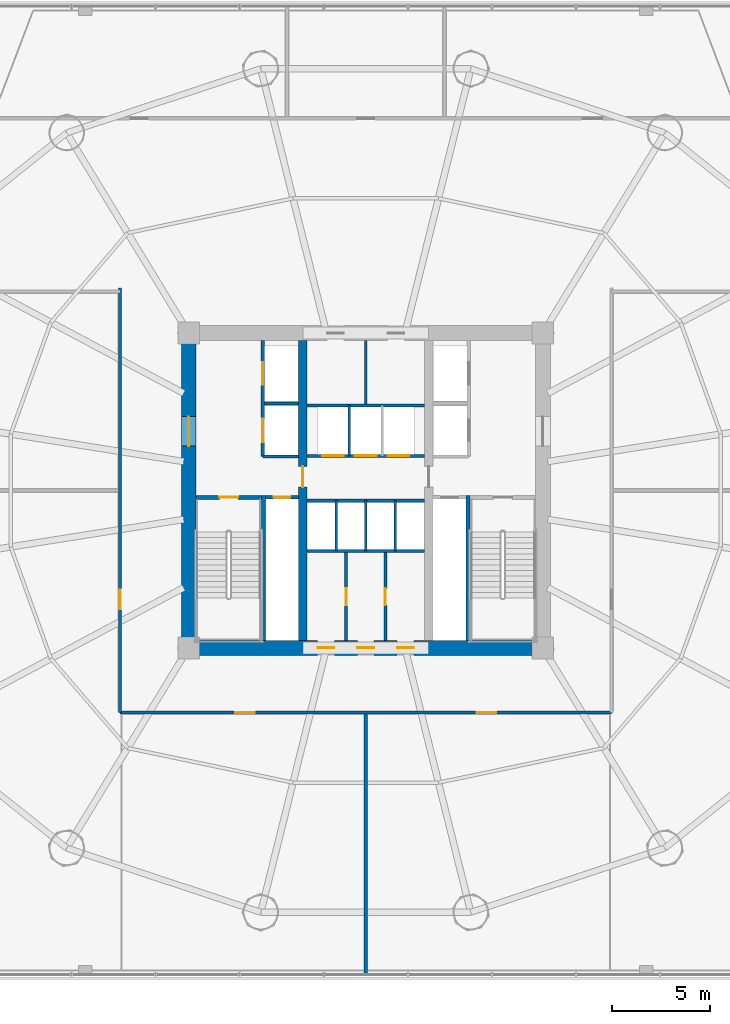
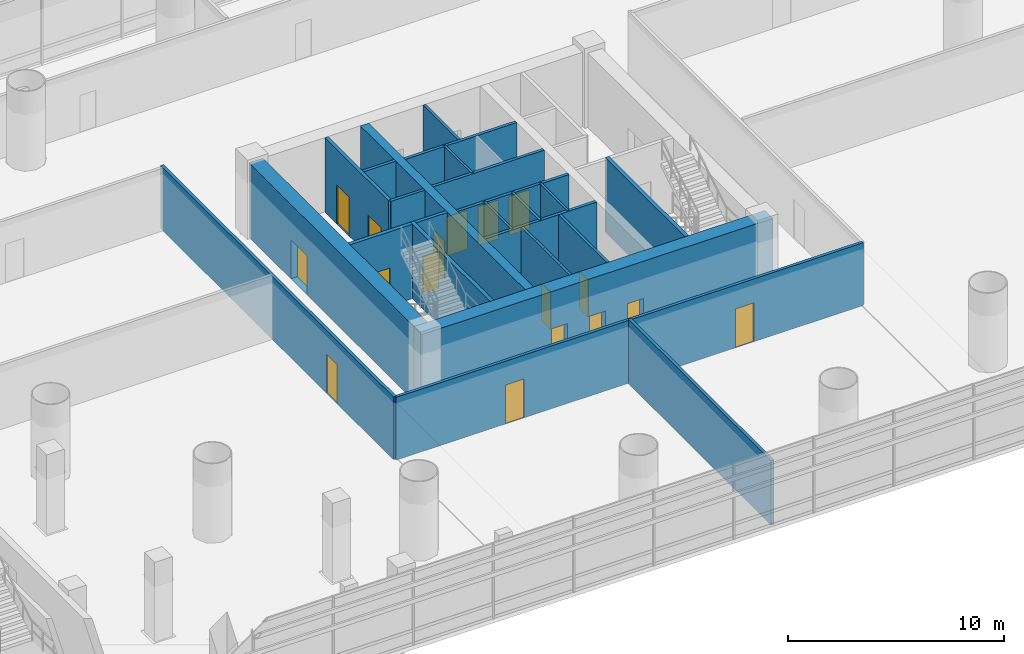
# One storey, part 21 of 36: 24 walls, 17 doors, 17 openings.
"""IFC4 building model written with IfcOpenShell, lengths in metres."""

from ifc_helpers import new_model, si_unit, direction, frame, frame_2d, origin, place, context, subcontext, project, spatial, rectangle, extrude, source, transform, mapped, material, layer, layer_set, type_object, element, fill, save


model = new_model("IFC4")

# Units and contexts
model_context = context("Model", 3, precision=1e-05, world=origin(), true_north=direction((-0.2419218956, 0.970295726276)))
body_context = subcontext(model_context, "Body", "Model", "MODEL_VIEW")
ifc_project = project(units=[si_unit("LENGTHUNIT", "METRE"), si_unit("AREAUNIT", "SQUARE_METRE"), si_unit("VOLUMEUNIT", "CUBIC_METRE"), si_unit("PLANEANGLEUNIT", "RADIAN"), si_unit("MASSUNIT", "GRAM", prefix="KILO")], contexts=[model_context])

# Site, building, storey
site_placement = place(None, origin())
site = spatial("IfcSite", under=ifc_project, at=site_placement, CompositionType="ELEMENT")
building_placement = place(site_placement, origin())
building = spatial("IfcBuilding", under=site, at=building_placement, Name="Cobrevalo Terracotta Tower", CompositionType="ELEMENT")
storey_placement = place(building_placement, frame((0.0, 0.0, 9.89990234375)))
storey = spatial("IfcBuildingStorey", under=building, at=storey_placement, Name="L02", CompositionType="ELEMENT", Elevation=9.89990234375)

# Wall, openings, doors
ifc_material_1 = material(Name="Concrete C60", Category="concrete")
ifc_layer_1 = layer(ifc_material_1, 0.75)
ifc_layer_set_1 = layer_set([ifc_layer_1], Name="Concrete C60")
wall_type_1 = type_object("IfcWallType", Name="Core shear wall 750 mm Concrete C60", PredefinedType="SHEAR", material=ifc_layer_set_1)
wall_1_placement = place(storey_placement, frame((28.625, 18.800048828125, 0.0), z_axis=(0.0, 0.0, 1.0), x_axis=(1.0, 0.0, 0.0)))
wall_1 = element("IfcWall", 1, at=wall_1_placement, inside=storey, type_object=wall_type_1, Name="L02 south core shear wall", PredefinedType="SHEAR", context=body_context, shape_type="SweptSolid", body=[
    extrude(rectangle(XDim=18.75, YDim=0.75, at=frame_2d((9.375, 0.0))), origin(), (0.0, 0.0, 1.0), 4.2001953125),
])
opening_1_placement = place(wall_1_placement, frame((6.927490234375, 0.0, 0.0)))
opening_1 = element("IfcOpeningElement", 2, at=opening_1_placement, cuts=wall_1, Name="Opening ID-22", PredefinedType="OPENING", context=body_context, shape_type="SweptSolid", body=[
    extrude(rectangle(XDim=0.85009765625, YDim=2.10009765625, at=frame_2d((0.425048828125, 1.050048828125))), frame((0.0, 0.385009765625, 0.0), z_axis=(0.0, -1.0, 0.0), x_axis=(1.0, 0.0, 0.0)), (0.0, 0.0, 1.0), 0.77001953125),
])
opening_2_placement = place(wall_1_placement, frame((8.949951171875, 0.0, 0.0)))
opening_2 = element("IfcOpeningElement", 3, at=opening_2_placement, cuts=wall_1, Name="Opening ID-22", PredefinedType="OPENING", context=body_context, shape_type="SweptSolid", body=[
    extrude(rectangle(XDim=0.85009765625, YDim=2.10009765625, at=frame_2d((0.425048828125, 1.050048828125))), frame((0.0, 0.385009765625, 0.0), z_axis=(0.0, -1.0, 0.0), x_axis=(1.0, 0.0, 0.0)), (0.0, 0.0, 1.0), 0.77001953125),
])
opening_3_placement = place(wall_1_placement, frame((10.972412109375, 0.0, 0.0)))
opening_3 = element("IfcOpeningElement", 4, at=opening_3_placement, cuts=wall_1, Name="Opening ID-22", PredefinedType="OPENING", context=body_context, shape_type="SweptSolid", body=[
    extrude(rectangle(XDim=0.85009765625, YDim=2.10009765625, at=frame_2d((0.425048828125, 1.050048828125))), frame((0.0, 0.385009765625, 0.0), z_axis=(0.0, -1.0, 0.0), x_axis=(1.0, 0.0, 0.0)), (0.0, 0.0, 1.0), 0.77001953125),
])
ifc_material_2 = material(Name="Powder-coated steel", Category="steel")
door_type_1 = type_object("IfcDoorType", Name="Riser shaft & meter closet fire access door 850x2100 EI 60", OperationType="NOTDEFINED", PredefinedType="DOOR", material=ifc_material_2)
shared_shape_1 = source(origin(), body_context, "Body", "SweptSolid", [
    extrude(rectangle(XDim=0.85009765625, YDim=2.10009765625, at=frame_2d((0.425048828125, 1.050048828125))), frame((0.0, 0.02490234375, 0.0), z_axis=(0.0, -1.0, 0.0), x_axis=(1.0, 0.0, 0.0)), (0.0, 0.0, 1.0), 0.050048828125),
])
door_1_placement = place(opening_1_placement, origin())
door_1 = element("IfcDoor", 5, at=door_1_placement, inside=storey, type_object=door_type_1, Name="L02 core south plant door HVAC Supply Air Plant", OperationType="SINGLE_SWING_RIGHT", OverallHeight=2.10009765625, OverallWidth=0.85009765625, PredefinedType="DOOR", context=body_context, shape_type="MappedRepresentation", body=[
    mapped(shared_shape_1, transform((0.0, 0.0, 0.0), scale=1.0)),
])
fill(opening_1, door_1)
door_2_placement = place(opening_2_placement, origin())
door_2 = element("IfcDoor", 6, at=door_2_placement, inside=storey, type_object=door_type_1, Name="L02 core south plant door Refuse Chute Store Room", OperationType="SINGLE_SWING_RIGHT", OverallHeight=2.10009765625, OverallWidth=0.85009765625, PredefinedType="DOOR", context=body_context, shape_type="MappedRepresentation", body=[
    mapped(shared_shape_1, transform((0.0, 0.0, 0.0), scale=1.0)),
])
fill(opening_2, door_2)
door_3_placement = place(opening_3_placement, origin())
door_3 = element("IfcDoor", 7, at=door_3_placement, inside=storey, type_object=door_type_1, Name="L02 core south plant door Hydronic Pump Manifold Plant", OperationType="SINGLE_SWING_RIGHT", OverallHeight=2.10009765625, OverallWidth=0.85009765625, PredefinedType="DOOR", context=body_context, shape_type="MappedRepresentation", body=[
    mapped(shared_shape_1, transform((0.0, 0.0, 0.0), scale=1.0)),
])
fill(opening_3, door_3)

# Wall, opening, door
wall_2_placement = place(storey_placement, frame((29.0, 19.175048828125, 0.0), z_axis=(0.0, 0.0, 1.0), x_axis=(0.0, 1.0, 0.0)))
wall_2 = element("IfcWall", 8, at=wall_2_placement, inside=storey, type_object=wall_type_1, Name="L02 west core shear wall", PredefinedType="SHEAR", context=body_context, shape_type="SweptSolid", body=[
    extrude(rectangle(XDim=15.25, YDim=0.75, at=frame_2d((7.625, 0.0))), origin(), (0.0, 0.0, 1.0), 4.2001953125),
])
opening_4_placement = place(wall_2_placement, frame((9.875, 0.0, 0.0)))
opening_4 = element("IfcOpeningElement", 9, at=opening_4_placement, cuts=wall_2, Name="Opening ID-14", PredefinedType="OPENING", context=body_context, shape_type="SweptSolid", body=[
    extrude(rectangle(XDim=1.5, YDim=2.199951171875, at=frame_2d((0.75, 1.10009765625))), frame((0.0, 0.385009765625, 0.0), z_axis=(0.0, -1.0, 0.0), x_axis=(1.0, 0.0, 0.0)), (0.0, 0.0, 1.0), 0.77001953125),
])
ifc_material_3 = material(Name="Galvanized fire-rated steel", Category="steel")
door_type_2 = type_object("IfcDoorType", Name="Core cross-lobby double fire door 1500x2200 EI 90", OperationType="NOTDEFINED", PredefinedType="DOOR", material=ifc_material_3)
shared_shape_2 = source(origin(), body_context, "Body", "SweptSolid", [
    extrude(rectangle(XDim=1.5, YDim=2.199951171875, at=frame_2d((0.75, 1.10009765625))), frame((0.0, 0.02490234375, 0.0), z_axis=(0.0, -1.0, 0.0), x_axis=(1.0, 0.0, 0.0)), (0.0, 0.0, 1.0), 0.050048828125),
])
door_4_placement = place(opening_4_placement, origin())
door_4 = element("IfcDoor", 10, at=door_4_placement, inside=storey, type_object=door_type_2, Name="L02 west firefighting lobby entrance door", OperationType="DOUBLE_DOOR_SINGLE_SWING", OverallHeight=2.199951171875, OverallWidth=1.5, PredefinedType="DOOR", context=body_context, shape_type="MappedRepresentation", body=[
    mapped(shared_shape_2, transform((0.0, 0.0, 0.0), scale=1.0)),
])
fill(opening_4, door_4)

# Walls
ifc_material_4 = material(Name="Gypsum board on steel stud", Category="steel")
ifc_layer_2 = layer(ifc_material_4, 0.159912109375)
ifc_layer_set_2 = layer_set([ifc_layer_2], Name="Gypsum board on steel stud")
wall_type_2 = type_object("IfcWallType", Name="Fire-rated corridor acoustic partition wall 160 mm", PredefinedType="PARTITIONING", material=ifc_layer_set_2)
wall_3_placement = place(storey_placement, frame((32.860107421875, 31.219970703125, 0.0), z_axis=(0.0, 0.0, 1.0), x_axis=(1.0, 0.0, 0.0)))
element("IfcWall", 11, at=wall_3_placement, inside=storey, type_object=wall_type_2, Name="L02 interior partition IW-L02-FF1-M", PredefinedType="PARTITIONING", context=body_context, shape_type="SweptSolid", body=[
    extrude(rectangle(XDim=1.71484375, YDim=0.159912109375, at=frame_2d((0.857421875, 0.0))), origin(), (0.0, 0.0, 1.0), 4.2001953125),
])
wall_4_placement = place(storey_placement, frame((32.77001953125, 28.52001953125, 0.0), z_axis=(0.0, 0.0, 1.0), x_axis=(1.0, 0.0, 0.0)))
element("IfcWall", 12, at=wall_4_placement, inside=storey, type_object=wall_type_2, Name="L02 interior partition IW-L02-FF1-S", PredefinedType="PARTITIONING", context=body_context, shape_type="SweptSolid", body=[
    extrude(rectangle(XDim=1.804931640625, YDim=0.159912109375, at=frame_2d((0.90234375, 0.0))), origin(), (0.0, 0.0, 1.0), 4.2001953125),
])

# Wall, openings, doors
wall_5_placement = place(storey_placement, frame((35.02490234375, 28.56005859375, 0.0), z_axis=(0.0, 0.0, 1.0), x_axis=(1.0, 0.0, 0.0)))
wall_5 = element("IfcWall", 13, at=wall_5_placement, inside=storey, type_object=wall_type_2, Name="L02 interior partition IW-L02-LB-S", PredefinedType="PARTITIONING", context=body_context, shape_type="SweptSolid", body=[
    extrude(rectangle(XDim=5.9501953125, YDim=0.159912109375, at=frame_2d((2.97509765625, 0.0))), origin(), (0.0, 0.0, 1.0), 4.2001953125),
])
opening_5_placement = place(wall_5_placement, frame((0.760009765625, 0.0, 0.0)))
opening_5 = element("IfcOpeningElement", 14, at=opening_5_placement, cuts=wall_5, Name="Opening LD-01", PredefinedType="OPENING", context=body_context, shape_type="SweptSolid", body=[
    extrude(rectangle(XDim=1.10009765625, YDim=2.199951171875, at=frame_2d((0.550048828125, 1.10009765625))), frame((0.0, 0.08984375, 0.0), z_axis=(0.0, -1.0, 0.0), x_axis=(1.0, 0.0, 0.0)), (0.0, 0.0, 1.0), 0.179931640625),
])
opening_6_placement = place(wall_5_placement, frame((2.425048828125, 0.0, 0.0)))
opening_6 = element("IfcOpeningElement", 15, at=opening_6_placement, cuts=wall_5, Name="Opening LD-01", PredefinedType="OPENING", context=body_context, shape_type="SweptSolid", body=[
    extrude(rectangle(XDim=1.10009765625, YDim=2.199951171875, at=frame_2d((0.550048828125, 1.10009765625))), frame((0.0, 0.08984375, 0.0), z_axis=(0.0, -1.0, 0.0), x_axis=(1.0, 0.0, 0.0)), (0.0, 0.0, 1.0), 0.179931640625),
])
opening_7_placement = place(wall_5_placement, frame((4.090087890625, 0.0, 0.0)))
opening_7 = element("IfcOpeningElement", 16, at=opening_7_placement, cuts=wall_5, Name="Opening LD-01", PredefinedType="OPENING", context=body_context, shape_type="SweptSolid", body=[
    extrude(rectangle(XDim=1.10009765625, YDim=2.199951171875, at=frame_2d((0.550048828125, 1.10009765625))), frame((0.0, 0.08984375, 0.0), z_axis=(0.0, -1.0, 0.0), x_axis=(1.0, 0.0, 0.0)), (0.0, 0.0, 1.0), 0.179931640625),
])
ifc_material_5 = material(Name="Brushed stainless steel", Category="steel")
door_type_3 = type_object("IfcDoorType", Name="Passenger lift landing bi-parting sliding door 1100x2200 EI 90", OperationType="DOUBLE_DOOR_SLIDING", PredefinedType="DOOR", material=ifc_material_5)
shared_shape_3 = source(origin(), body_context, "Body", "SweptSolid", [
    extrude(rectangle(XDim=1.10009765625, YDim=2.199951171875, at=frame_2d((0.550048828125, 1.10009765625))), frame((0.0, 0.02490234375, 0.0), z_axis=(0.0, -1.0, 0.0), x_axis=(1.0, 0.0, 0.0)), (0.0, 0.0, 1.0), 0.050048828125),
])
door_5_placement = place(opening_5_placement, origin())
door_5 = element("IfcDoor", 17, at=door_5_placement, inside=storey, type_object=door_type_3, Name="L02 lift landing door PL-L1", OperationType="DOUBLE_DOOR_SLIDING", OverallHeight=2.199951171875, OverallWidth=1.10009765625, PredefinedType="DOOR", context=body_context, shape_type="MappedRepresentation", body=[
    mapped(shared_shape_3, transform((0.0, 0.0, 0.0), scale=1.0)),
])
fill(opening_5, door_5)
door_6_placement = place(opening_6_placement, origin())
door_6 = element("IfcDoor", 18, at=door_6_placement, inside=storey, type_object=door_type_3, Name="L02 lift landing door PL-L2", OperationType="DOUBLE_DOOR_SLIDING", OverallHeight=2.199951171875, OverallWidth=1.10009765625, PredefinedType="DOOR", context=body_context, shape_type="MappedRepresentation", body=[
    mapped(shared_shape_3, transform((0.0, 0.0, 0.0), scale=1.0)),
])
fill(opening_6, door_6)
door_7_placement = place(opening_7_placement, origin())
door_7 = element("IfcDoor", 19, at=door_7_placement, inside=storey, type_object=door_type_3, Name="L02 lift landing door PL-L3", OperationType="DOUBLE_DOOR_SLIDING", OverallHeight=2.199951171875, OverallWidth=1.10009765625, PredefinedType="DOOR", context=body_context, shape_type="MappedRepresentation", body=[
    mapped(shared_shape_3, transform((0.0, 0.0, 0.0), scale=1.0)),
])
fill(opening_7, door_7)

# Walls
for number, where, z_axis, x_axis, name in (
    (20, (35.02490234375, 31.1201171875, 0.0), (0.0, 0.0, 1.0), (1.0, 0.0, 0.0), "L02 interior partition IW-L02-LB-N"),
    (21, (35.02490234375, 26.280029296875, 0.0), (0.0, 0.0, 1.0), (1.0, 0.0, 0.0), "L02 interior partition IW-L02-MB-N"),
    (22, (35.02490234375, 23.719970703125, 0.0), (0.0, 0.0, 1.0), (1.0, 0.0, 0.0), "L02 interior partition IW-L02-MB-S"),
):
    element("IfcWall", number, at=place(storey_placement, frame(where, z_axis=z_axis, x_axis=x_axis)), inside=storey, type_object=wall_type_2, Name=name, PredefinedType="PARTITIONING", context=body_context, shape_type="SweptSolid", body=[
        extrude(rectangle(XDim=5.9501953125, YDim=0.159912109375, at=frame_2d((2.97509765625, 0.0))), origin(), (0.0, 0.0, 1.0), 4.2001953125),
    ])

# Wall, openings, doors
wall_6_placement = place(storey_placement, frame((25.52001953125, 15.52001953125, 0.0), z_axis=(0.0, 0.0, 1.0), x_axis=(1.0, 0.0, 0.0)))
wall_6 = element("IfcWall", 23, at=wall_6_placement, inside=storey, type_object=wall_type_2, Name="L02 interior partition IW-L02-PC-S", PredefinedType="PARTITIONING", context=body_context, shape_type="SweptSolid", body=[
    extrude(rectangle(XDim=24.9599609375, YDim=0.159912109375, at=frame_2d((12.47998046875, 0.0))), origin(), (0.0, 0.0, 1.0), 3.550048828125),
])
opening_8_placement = place(wall_6_placement, frame((5.8544921875, 0.0, 0.0)))
opening_8 = element("IfcOpeningElement", 24, at=opening_8_placement, cuts=wall_6, Name="Opening ID-05", PredefinedType="OPENING", context=body_context, shape_type="SweptSolid", body=[
    extrude(rectangle(XDim=0.97998046875, YDim=2.199951171875, at=frame_2d((0.489990234375, 1.10009765625))), frame((0.0, 0.08984375, 0.0), z_axis=(0.0, -1.0, 0.0), x_axis=(1.0, 0.0, 0.0)), (0.0, 0.0, 1.0), 0.179931640625),
])
opening_9_placement = place(wall_6_placement, frame((18.12548828125, 0.0, 0.0)))
opening_9 = element("IfcOpeningElement", 25, at=opening_9_placement, cuts=wall_6, Name="Opening ID-05", PredefinedType="OPENING", context=body_context, shape_type="SweptSolid", body=[
    extrude(rectangle(XDim=0.97998046875, YDim=2.199951171875, at=frame_2d((0.489990234375, 1.10009765625))), frame((0.0, 0.08984375, 0.0), z_axis=(0.0, -1.0, 0.0), x_axis=(1.0, 0.0, 0.0)), (0.0, 0.0, 1.0), 0.179931640625),
])
ifc_material_6 = material(Name="Solid hardwood timber", Category="wood")
door_type_4 = type_object("IfcDoorType", Name="Residence entrance fire-rated acoustic timber door 980x2200 EI 60", OperationType="NOTDEFINED", PredefinedType="DOOR", material=ifc_material_6)
shared_shape_4 = source(origin(), body_context, "Body", "SweptSolid", [
    extrude(rectangle(XDim=0.97998046875, YDim=2.199951171875, at=frame_2d((0.489990234375, 1.10009765625))), frame((0.0, 0.02490234375, 0.0), z_axis=(0.0, -1.0, 0.0), x_axis=(1.0, 0.0, 0.0)), (0.0, 0.0, 1.0), 0.050048828125),
])
door_8_placement = place(opening_8_placement, frame((0.97998046875, 0.0, 0.0), z_axis=(0.0, 0.0, 1.0), x_axis=(-1.0, 0.0, 0.0)))
door_8 = element("IfcDoor", 26, at=door_8_placement, inside=storey, type_object=door_type_4, Name="L02 Business Lounge door", OperationType="SINGLE_SWING_RIGHT", OverallHeight=2.199951171875, OverallWidth=0.97998046875, PredefinedType="DOOR", context=body_context, shape_type="MappedRepresentation", body=[
    mapped(shared_shape_4, transform((0.0, 0.0, 0.0), scale=1.0)),
])
fill(opening_8, door_8)
door_9_placement = place(opening_9_placement, frame((0.97998046875, 0.0, 0.0), z_axis=(0.0, 0.0, 1.0), x_axis=(-1.0, 0.0, 0.0)))
door_9 = element("IfcDoor", 27, at=door_9_placement, inside=storey, type_object=door_type_4, Name="L02 Archive Copy Room door", OperationType="SINGLE_SWING_LEFT", OverallHeight=2.199951171875, OverallWidth=0.97998046875, PredefinedType="DOOR", context=body_context, shape_type="MappedRepresentation", body=[
    mapped(shared_shape_4, transform((0.0, 0.0, 0.0), scale=1.0)),
])
fill(opening_9, door_9)

# Wall, opening, door
wall_7_placement = place(storey_placement, frame((25.52001953125, 15.52001953125, 0.0), z_axis=(0.0, 0.0, 1.0), x_axis=(0.0, 1.0, 0.0)))
wall_7 = element("IfcWall", 28, at=wall_7_placement, inside=storey, type_object=wall_type_2, Name="L02 interior partition IW-L02-PC-W", PredefinedType="PARTITIONING", context=body_context, shape_type="SweptSolid", body=[
    extrude(rectangle(XDim=21.56005859375, YDim=0.159912109375, at=frame_2d((10.780029296875, 0.0))), origin(), (0.0, 0.0, 1.0), 3.550048828125),
])
opening_10_placement = place(wall_7_placement, frame((5.25439453125, 0.0, 0.0)))
opening_10 = element("IfcOpeningElement", 29, at=opening_10_placement, cuts=wall_7, Name="Opening ID-05", PredefinedType="OPENING", context=body_context, shape_type="SweptSolid", body=[
    extrude(rectangle(XDim=0.97998046875, YDim=2.199951171875, at=frame_2d((0.489990234375, 1.10009765625))), frame((0.0, 0.08984375, 0.0), z_axis=(0.0, -1.0, 0.0), x_axis=(1.0, 0.0, 0.0)), (0.0, 0.0, 1.0), 0.179931640625),
])
door_10_placement = place(opening_10_placement, frame((0.97998046875, 0.0, 0.0), z_axis=(0.0, 0.0, 1.0), x_axis=(-1.0, 0.0, 0.0)))
door_10 = element("IfcDoor", 30, at=door_10_placement, inside=storey, type_object=door_type_4, Name="L02 Co-Working Studio West door", OperationType="SINGLE_SWING_RIGHT", OverallHeight=2.199951171875, OverallWidth=0.97998046875, PredefinedType="DOOR", context=body_context, shape_type="MappedRepresentation", body=[
    mapped(shared_shape_4, transform((0.0, 0.0, 0.0), scale=1.0)),
])
fill(opening_10, door_10)

# Wall
wall_8_placement = place(storey_placement, frame((38.0, 2.239990234375, 0.0), z_axis=(0.0, 0.0, 1.0), x_axis=(0.0, 1.0, 0.0)))
element("IfcWall", 31, at=wall_8_placement, inside=storey, type_object=wall_type_2, Name="L02 interior partition IW-L02-PS-M", PredefinedType="PARTITIONING", context=body_context, shape_type="SweptSolid", body=[
    extrude(rectangle(XDim=13.197998046875, YDim=0.159912109375, at=frame_2d((6.59912109375, 0.0))), origin(), (0.0, 0.0, 1.0), 3.64208984375),
])

# Wall, opening, door
ifc_layer_3 = layer(ifc_material_4, 0.179931640625)
ifc_layer_set_3 = layer_set([ifc_layer_3], Name="Gypsum board on steel stud")
wall_type_3 = type_object("IfcWallType", Name="Fire-rated shaft & lobby acoustic partition wall 180 mm", PredefinedType="PARTITIONING", material=ifc_layer_set_3)
wall_9_placement = place(storey_placement, frame((32.89990234375, 26.449951171875, 0.0), z_axis=(0.0, 0.0, 1.0), x_axis=(1.0, 0.0, 0.0)))
wall_9 = element("IfcWall", 32, at=wall_9_placement, inside=storey, type_object=wall_type_3, Name="L02 interior partition IW-L02-RSW-N", PredefinedType="PARTITIONING", context=body_context, shape_type="SweptSolid", body=[
    extrude(rectangle(XDim=1.675048828125, YDim=0.179931640625, at=frame_2d((0.83740234375, 0.0))), origin(), (0.0, 0.0, 1.0), 4.2001953125),
])
opening_11_placement = place(wall_9_placement, frame((0.41259765625, 0.0, 0.0)))
opening_11 = element("IfcOpeningElement", 33, at=opening_11_placement, cuts=wall_9, Name="Opening ID-22", PredefinedType="OPENING", context=body_context, shape_type="SweptSolid", body=[
    extrude(rectangle(XDim=0.85009765625, YDim=2.10009765625, at=frame_2d((0.425048828125, 1.050048828125))), frame((0.0, 0.10009765625, 0.0), z_axis=(0.0, -1.0, 0.0), x_axis=(1.0, 0.0, 0.0)), (0.0, 0.0, 1.0), 0.199951171875),
])
door_11_placement = place(opening_11_placement, origin())
door_11 = element("IfcDoor", 34, at=door_11_placement, inside=storey, type_object=door_type_1, Name="L02 riser access door RSW", OperationType="SINGLE_SWING_LEFT", OverallHeight=2.10009765625, OverallWidth=0.85009765625, PredefinedType="DOOR", context=body_context, shape_type="MappedRepresentation", body=[
    mapped(shared_shape_1, transform((0.0, 0.0, 0.0), scale=1.0)),
])
fill(opening_11, door_11)

# Wall, openings, doors
wall_10_placement = place(storey_placement, frame((32.77001953125, 28.52001953125, 0.0), z_axis=(0.0, 0.0, 1.0), x_axis=(0.0, 1.0, 0.0)))
wall_10 = element("IfcWall", 35, at=wall_10_placement, inside=storey, type_object=wall_type_3, Name="L02 interior partition IW-L02-FF1-W", PredefinedType="PARTITIONING", context=body_context, shape_type="SweptSolid", body=[
    extrude(rectangle(XDim=5.905029296875, YDim=0.179931640625, at=frame_2d((2.95263671875, 0.0))), origin(), (0.0, 0.0, 1.0), 4.2001953125),
])
opening_12_placement = place(wall_10_placement, frame((3.655029296875, 0.0, 0.0)))
opening_12 = element("IfcOpeningElement", 36, at=opening_12_placement, cuts=wall_10, Name="Opening LD-02", PredefinedType="OPENING", context=body_context, shape_type="SweptSolid", body=[
    extrude(rectangle(XDim=1.14990234375, YDim=2.199951171875, at=frame_2d((0.574951171875, 1.10009765625))), frame((0.0, 0.10009765625, 0.0), z_axis=(0.0, -1.0, 0.0), x_axis=(1.0, 0.0, 0.0)), (0.0, 0.0, 1.0), 0.199951171875),
])
opening_13_placement = place(wall_10_placement, frame((0.72998046875, 0.0, 0.0)))
opening_13 = element("IfcOpeningElement", 37, at=opening_13_placement, cuts=wall_10, Name="Opening LD-03", PredefinedType="OPENING", context=body_context, shape_type="SweptSolid", body=[
    extrude(rectangle(XDim=1.199951171875, YDim=2.25, at=frame_2d((0.60009765625, 1.125))), frame((0.0, 0.10009765625, 0.0), z_axis=(0.0, -1.0, 0.0), x_axis=(1.0, 0.0, 0.0)), (0.0, 0.0, 1.0), 0.199951171875),
])
door_type_5 = type_object("IfcDoorType", Name="Firefighting lift landing bi-parting sliding door 1150x2200 EI 120", OperationType="DOUBLE_DOOR_SLIDING", PredefinedType="DOOR", material=ifc_material_5)
shared_shape_5 = source(origin(), body_context, "Body", "SweptSolid", [
    extrude(rectangle(XDim=1.14990234375, YDim=2.199951171875, at=frame_2d((0.574951171875, 1.10009765625))), frame((0.0, 0.02490234375, 0.0), z_axis=(0.0, -1.0, 0.0), x_axis=(1.0, 0.0, 0.0)), (0.0, 0.0, 1.0), 0.050048828125),
])
door_12_placement = place(opening_12_placement, origin())
door_12 = element("IfcDoor", 38, at=door_12_placement, inside=storey, type_object=door_type_5, Name="L02 lift landing door FF-1", OperationType="DOUBLE_DOOR_SLIDING", OverallHeight=2.199951171875, OverallWidth=1.14990234375, PredefinedType="DOOR", context=body_context, shape_type="MappedRepresentation", body=[
    mapped(shared_shape_5, transform((0.0, 0.0, 0.0), scale=1.0)),
])
fill(opening_12, door_12)
door_type_6 = type_object("IfcDoorType", Name="Service lift landing bi-parting sliding door 1200x2250 EI 120", OperationType="DOUBLE_DOOR_SLIDING", PredefinedType="DOOR", material=ifc_material_5)
shared_shape_6 = source(origin(), body_context, "Body", "SweptSolid", [
    extrude(rectangle(XDim=1.199951171875, YDim=2.25, at=frame_2d((0.60009765625, 1.125))), frame((0.0, 0.02490234375, 0.0), z_axis=(0.0, -1.0, 0.0), x_axis=(1.0, 0.0, 0.0)), (0.0, 0.0, 1.0), 0.050048828125),
])
door_13_placement = place(opening_13_placement, origin())
door_13 = element("IfcDoor", 39, at=door_13_placement, inside=storey, type_object=door_type_6, Name="L02 lift landing door SV-1", OperationType="DOUBLE_DOOR_SLIDING", OverallHeight=2.25, OverallWidth=1.199951171875, PredefinedType="DOOR", context=body_context, shape_type="MappedRepresentation", body=[
    mapped(shared_shape_6, transform((0.0, 0.0, 0.0), scale=1.0)),
])
fill(opening_13, door_13)

# Walls
ifc_material_7 = material(Name="Autoclaved aerated concrete block", Category="concrete")
ifc_layer_4 = layer(ifc_material_7, 0.1201171875)
ifc_layer_set_4 = layer_set([ifc_layer_4], Name="Autoclaved aerated concrete block")
wall_type_4 = type_object("IfcWallType", Name="Fire-rated wet-room & core service partition 120 mm", PredefinedType="PARTITIONING", material=ifc_layer_set_4)
for number, where, z_axis, x_axis, name in (
    (40, (37.169921875, 28.56005859375, 0.0), (0.0, 0.0, 1.0), (0.0, 1.0, 0.0), "L02 interior partition IW-L02-LB-D1"),
    (41, (36.5, 23.719970703125, 0.0), (0.0, 0.0, 1.0), (0.0, 1.0, 0.0), "L02 interior partition IW-L02-MB-D1"),
    (42, (39.5, 23.719970703125, 0.0), (0.0, 0.0, 1.0), (0.0, 1.0, 0.0), "L02 interior partition IW-L02-MB-D3"),
):
    element("IfcWall", number, at=place(storey_placement, frame(where, z_axis=z_axis, x_axis=x_axis)), inside=storey, type_object=wall_type_4, Name=name, PredefinedType="PARTITIONING", context=body_context, shape_type="SweptSolid", body=[
        extrude(rectangle(XDim=2.56005859375, YDim=0.1201171875, at=frame_2d((1.280029296875, 0.0))), origin(), (0.0, 0.0, 1.0), 4.2001953125),
    ])

# Wall, opening, door
ifc_material_8 = material(Name="Concrete C55", Category="concrete")
ifc_layer_5 = layer(ifc_material_8, 0.449951171875)
ifc_layer_set_5 = layer_set([ifc_layer_5], Name="Concrete C55")
wall_type_5 = type_object("IfcWallType", Name="Internal core shear web wall 450 mm Concrete C55", PredefinedType="SHEAR", material=ifc_layer_set_5)
wall_11_placement = place(storey_placement, frame((34.800048828125, 19.175048828125, 0.0), z_axis=(0.0, 0.0, 1.0), x_axis=(0.0, 1.0, 0.0)))
wall_11 = element("IfcWall", 43, at=wall_11_placement, inside=storey, type_object=wall_type_5, Name="L02 internal core shear wall WEB-W", PredefinedType="SHEAR", context=body_context, shape_type="SweptSolid", body=[
    extrude(rectangle(XDim=15.25, YDim=0.449951171875, at=frame_2d((7.625, 0.0))), origin(), (0.0, 0.0, 1.0), 4.2001953125),
])
opening_14_placement = place(wall_11_placement, frame((7.800048828125, 0.0, 0.0)))
opening_14 = element("IfcOpeningElement", 44, at=opening_14_placement, cuts=wall_11, Name="Opening ID-11", PredefinedType="OPENING", context=body_context, shape_type="SweptSolid", body=[
    extrude(rectangle(XDim=1.050048828125, YDim=2.14990234375, at=frame_2d((0.52490234375, 1.074951171875))), frame((0.0, 0.23486328125, 0.0), z_axis=(0.0, -1.0, 0.0), x_axis=(1.0, 0.0, 0.0)), (0.0, 0.0, 1.0), 0.469970703125),
])
door_type_7 = type_object("IfcDoorType", Name="Core concourse cross fire door 1050x2150 EI 90", OperationType="NOTDEFINED", PredefinedType="DOOR", material=ifc_material_3)
shared_shape_7 = source(origin(), body_context, "Body", "SweptSolid", [
    extrude(rectangle(XDim=1.050048828125, YDim=2.14990234375, at=frame_2d((0.52490234375, 1.074951171875))), frame((0.0, 0.02490234375, 0.0), z_axis=(0.0, -1.0, 0.0), x_axis=(1.0, 0.0, 0.0)), (0.0, 0.0, 1.0), 0.050048828125),
])
door_14_placement = place(opening_14_placement, origin())
door_14 = element("IfcDoor", 45, at=door_14_placement, inside=storey, type_object=door_type_7, Name="L02 west core concourse cross door", OperationType="SINGLE_SWING_LEFT", OverallHeight=2.14990234375, OverallWidth=1.050048828125, PredefinedType="DOOR", context=body_context, shape_type="MappedRepresentation", body=[
    mapped(shared_shape_7, transform((0.0, 0.0, 0.0), scale=1.0)),
])
fill(opening_14, door_14)

# Walls
ifc_layer_6 = layer(ifc_material_7, 0.139892578125)
ifc_layer_set_6 = layer_set([ifc_layer_6], Name="Autoclaved aerated concrete block")
wall_type_6 = type_object("IfcWallType", Name="Moisture-resistant wet-room & core service partition 140 mm", PredefinedType="PARTITIONING", material=ifc_layer_set_6)
wall_12_placement = place(storey_placement, frame((38.0, 31.199951171875, 0.0), z_axis=(0.0, 0.0, 1.0), x_axis=(0.0, 1.0, 0.0)))
element("IfcWall", 46, at=wall_12_placement, inside=storey, type_object=wall_type_6, Name="L02 interior partition IW-L02-KVN-1", PredefinedType="PARTITIONING", context=body_context, shape_type="SweptSolid", body=[
    extrude(rectangle(XDim=3.22509765625, YDim=0.139892578125, at=frame_2d((1.612548828125, 0.0))), origin(), (0.0, 0.0, 1.0), 4.2001953125),
])
wall_13_placement = place(storey_placement, frame((38.0, 23.719970703125, 0.0), z_axis=(0.0, 0.0, 1.0), x_axis=(0.0, 1.0, 0.0)))
element("IfcWall", 47, at=wall_13_placement, inside=storey, type_object=wall_type_6, Name="L02 interior partition IW-L02-MB-D2", PredefinedType="PARTITIONING", context=body_context, shape_type="SweptSolid", body=[
    extrude(rectangle(XDim=2.56005859375, YDim=0.139892578125, at=frame_2d((1.280029296875, 0.0))), origin(), (0.0, 0.0, 1.0), 4.2001953125),
])

# Wall, opening, door
wall_14_placement = place(storey_placement, frame((37.0, 19.175048828125, 0.0), z_axis=(0.0, 0.0, 1.0), x_axis=(0.0, 1.0, 0.0)))
wall_14 = element("IfcWall", 48, at=wall_14_placement, inside=storey, type_object=wall_type_6, Name="L02 interior partition IW-L02-KVS-V1", PredefinedType="PARTITIONING", context=body_context, shape_type="SweptSolid", body=[
    extrude(rectangle(XDim=4.46484375, YDim=0.139892578125, at=frame_2d((2.232421875, 0.0))), origin(), (0.0, 0.0, 1.0), 4.2001953125),
])
opening_15_placement = place(wall_14_placement, frame((1.8076171875, 0.0, 0.0)))
opening_15 = element("IfcOpeningElement", 49, at=opening_15_placement, cuts=wall_14, Name="Opening ID-22", PredefinedType="OPENING", context=body_context, shape_type="SweptSolid", body=[
    extrude(rectangle(XDim=0.85009765625, YDim=2.10009765625, at=frame_2d((0.425048828125, 1.050048828125))), frame((0.0, 0.080078125, 0.0), z_axis=(0.0, -1.0, 0.0), x_axis=(1.0, 0.0, 0.0)), (0.0, 0.0, 1.0), 0.159912109375),
])
door_15_placement = place(opening_15_placement, origin())
door_15 = element("IfcDoor", 50, at=door_15_placement, inside=storey, type_object=door_type_1, Name="L02 core KVS-V1 inner door", OperationType="SINGLE_SWING_LEFT", OverallHeight=2.10009765625, OverallWidth=0.85009765625, PredefinedType="DOOR", context=body_context, shape_type="MappedRepresentation", body=[
    mapped(shared_shape_1, transform((0.0, 0.0, 0.0), scale=1.0)),
])
fill(opening_15, door_15)

wall_15_placement = place(storey_placement, frame((39.0, 19.175048828125, 0.0), z_axis=(0.0, 0.0, 1.0), x_axis=(0.0, 1.0, 0.0)))
wall_15 = element("IfcWall", 51, at=wall_15_placement, inside=storey, type_object=wall_type_6, Name="L02 interior partition IW-L02-KVS-V2", PredefinedType="PARTITIONING", context=body_context, shape_type="SweptSolid", body=[
    extrude(rectangle(XDim=4.46484375, YDim=0.139892578125, at=frame_2d((2.232421875, 0.0))), origin(), (0.0, 0.0, 1.0), 4.2001953125),
])
opening_16_placement = place(wall_15_placement, frame((1.8076171875, 0.0, 0.0)))
opening_16 = element("IfcOpeningElement", 52, at=opening_16_placement, cuts=wall_15, Name="Opening ID-22", PredefinedType="OPENING", context=body_context, shape_type="SweptSolid", body=[
    extrude(rectangle(XDim=0.85009765625, YDim=2.10009765625, at=frame_2d((0.425048828125, 1.050048828125))), frame((0.0, 0.080078125, 0.0), z_axis=(0.0, -1.0, 0.0), x_axis=(1.0, 0.0, 0.0)), (0.0, 0.0, 1.0), 0.159912109375),
])
door_16_placement = place(opening_16_placement, origin())
door_16 = element("IfcDoor", 53, at=door_16_placement, inside=storey, type_object=door_type_1, Name="L02 core KVS-V2 inner door", OperationType="SINGLE_SWING_LEFT", OverallHeight=2.10009765625, OverallWidth=0.85009765625, PredefinedType="DOOR", context=body_context, shape_type="MappedRepresentation", body=[
    mapped(shared_shape_1, transform((0.0, 0.0, 0.0), scale=1.0)),
])
fill(opening_16, door_16)

# Wall
ifc_material_9 = material(Name="Concrete C50", Category="concrete")
ifc_layer_7 = layer(ifc_material_9, 0.199951171875)
ifc_layer_set_7 = layer_set([ifc_layer_7], Name="Concrete C50")
wall_type_7 = type_object("IfcWallType", Name="Structural core & podium stair-shaft RC wall 200 mm Concrete C50", PredefinedType="SOLIDWALL", material=ifc_layer_set_7)
wall_16_placement = place(storey_placement, frame((32.794921875, 19.175048828125, 0.0), z_axis=(0.0, 0.0, 1.0), x_axis=(0.0, 1.0, 0.0)))
element("IfcWall", 54, at=wall_16_placement, inside=storey, type_object=wall_type_7, Name="L02 ST-1 east structural shaft wall", PredefinedType="SOLIDWALL", context=body_context, shape_type="SweptSolid", body=[
    extrude(rectangle(XDim=7.375, YDim=0.199951171875, at=frame_2d((3.6875, 0.0))), origin(), (0.0, 0.0, 1.0), 4.2001953125),
])

# Wall, opening, door
wall_17_placement = place(storey_placement, frame((29.375, 26.449951171875, 0.0), z_axis=(0.0, 0.0, 1.0), x_axis=(1.0, 0.0, 0.0)))
wall_17 = element("IfcWall", 55, at=wall_17_placement, inside=storey, type_object=wall_type_7, Name="L02 ST-1 north structural shaft wall", PredefinedType="SOLIDWALL", context=body_context, shape_type="SweptSolid", body=[
    extrude(rectangle(XDim=3.320068359375, YDim=0.199951171875, at=frame_2d((1.66015625, 0.0))), origin(), (0.0, 0.0, 1.0), 4.2001953125),
])
opening_17_placement = place(wall_17_placement, frame((1.18505859375, 0.0, 0.0)))
opening_17 = element("IfcOpeningElement", 56, at=opening_17_placement, cuts=wall_17, Name="Opening ID-04", PredefinedType="OPENING", context=body_context, shape_type="SweptSolid", body=[
    extrude(rectangle(XDim=0.949951171875, YDim=2.14990234375, at=frame_2d((0.47509765625, 1.074951171875))), frame((0.0, 0.10986328125, 0.0), z_axis=(0.0, -1.0, 0.0), x_axis=(1.0, 0.0, 0.0)), (0.0, 0.0, 1.0), 0.219970703125),
])
door_type_8 = type_object("IfcDoorType", Name="Stair & firefighting lobby fire door 950x2150 EI 90", OperationType="NOTDEFINED", PredefinedType="DOOR", material=ifc_material_3)
shared_shape_8 = source(origin(), body_context, "Body", "SweptSolid", [
    extrude(rectangle(XDim=0.949951171875, YDim=2.14990234375, at=frame_2d((0.47509765625, 1.074951171875))), frame((0.0, 0.02490234375, 0.0), z_axis=(0.0, -1.0, 0.0), x_axis=(1.0, 0.0, 0.0)), (0.0, 0.0, 1.0), 0.050048828125),
])
door_17_placement = place(opening_17_placement, origin())
door_17 = element("IfcDoor", 57, at=door_17_placement, inside=storey, type_object=door_type_8, Name="L02 protected stair ST1 fire door", OperationType="SINGLE_SWING_LEFT", OverallHeight=2.14990234375, OverallWidth=0.949951171875, PredefinedType="DOOR", context=body_context, shape_type="MappedRepresentation", body=[
    mapped(shared_shape_8, transform((0.0, 0.0, 0.0), scale=1.0)),
])
fill(opening_17, door_17)

# Wall
wall_18_placement = place(storey_placement, frame((43.205078125, 19.175048828125, 0.0), z_axis=(0.0, 0.0, 1.0), x_axis=(0.0, 1.0, 0.0)))
element("IfcWall", 58, at=wall_18_placement, inside=storey, type_object=wall_type_7, Name="L02 ST-2 west structural shaft wall", PredefinedType="SOLIDWALL", context=body_context, shape_type="SweptSolid", body=[
    extrude(rectangle(XDim=7.375, YDim=0.199951171875, at=frame_2d((3.6875, 0.0))), origin(), (0.0, 0.0, 1.0), 4.2001953125),
])

save(model, "model.ifc")
